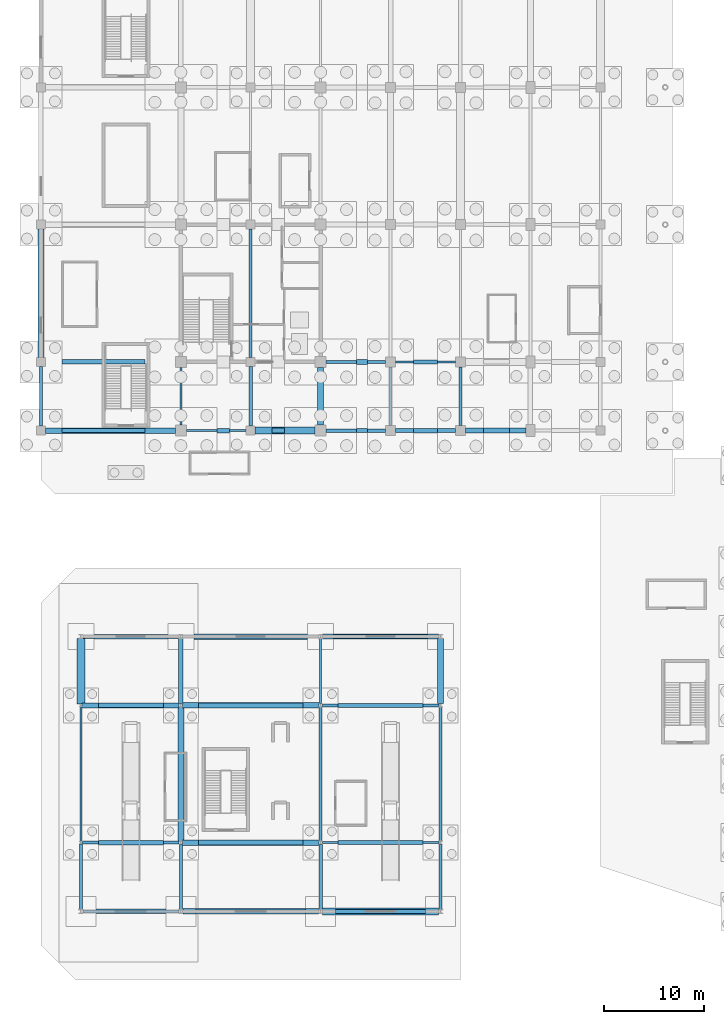
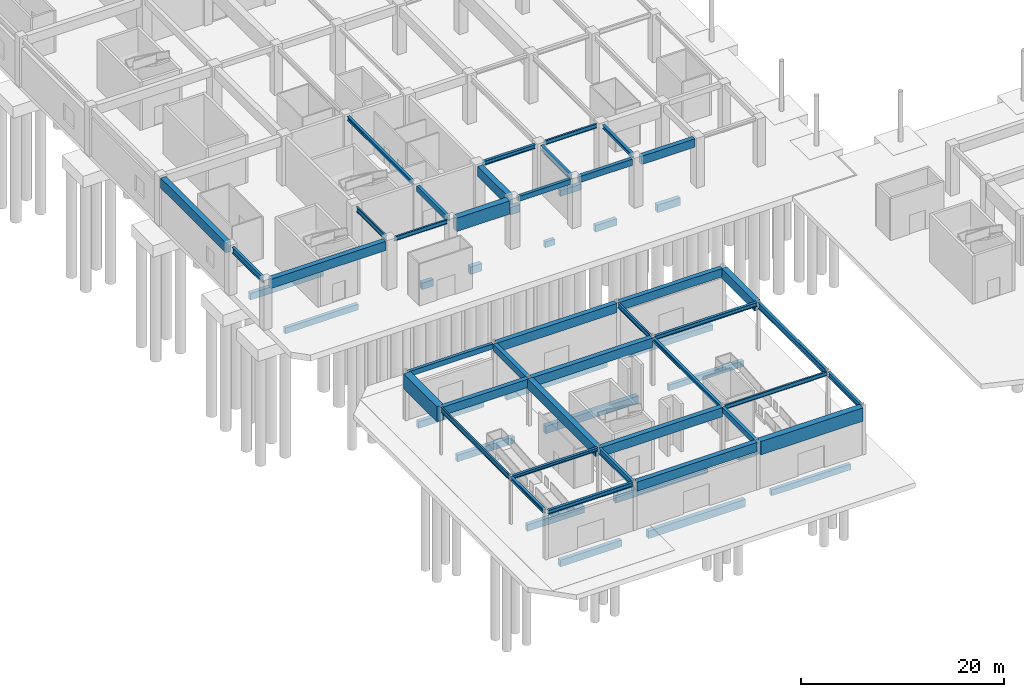
# One storey, part 29 of 62: 61 beams.
"""IFC4 building model written with IfcOpenShell, lengths in metres."""

from ifc_helpers import new_model, si_unit, direction, frame, origin, origin_2d, place, context, subcontext, project, spatial, rectangle, i_section, extrude, material, material_profile, profile_set, type_object, element, save


model = new_model("IFC4")

# Units and contexts
model_context = context("Model", 3, precision=1e-05, world=origin(), true_north=direction((0.0, 1.0)))
body_context = subcontext(model_context, "Body", "Model", "MODEL_VIEW")
ifc_project = project(units=[si_unit("LENGTHUNIT", "METRE"), si_unit("AREAUNIT", "SQUARE_METRE"), si_unit("VOLUMEUNIT", "CUBIC_METRE"), si_unit("PLANEANGLEUNIT", "RADIAN"), si_unit("MASSUNIT", "GRAM", prefix="KILO")], contexts=[model_context])

# Site, building, storey
site_placement = place(None, origin())
site = spatial("IfcSite", under=ifc_project, at=site_placement, CompositionType="ELEMENT")
building_placement = place(site_placement, origin())
building = spatial("IfcBuilding", under=site, at=building_placement, Name="Linyun Crest Stadium", CompositionType="ELEMENT")
storey_placement = place(building_placement, frame((0.0, 0.0, -6.0)))
storey = spatial("IfcBuildingStorey", under=building, at=storey_placement, Name="B1", CompositionType="ELEMENT", Elevation=-6.0)

# Beams
ifc_material_1 = material(Name="Concrete C40", Category="concrete")
ifc_material_profile_1 = material_profile(ifc_material_1, rectangle(XDim=0.35009765625, YDim=0.60009765625, at=origin_2d()), Name="RCB 600x350")
ifc_profile_set_1 = profile_set([ifc_material_profile_1], Name="Concrete C40")
beam_type_1 = type_object("IfcBeamType", Name="B01", PredefinedType="BEAM", material=ifc_profile_set_1)
beam_1_placement = place(storey_placement, frame((-69.449951171875, -46.0, 5.449951171875), z_axis=(1.0, 0.0, 0.0), x_axis=(0.0, 1.0, 0.0)))
element("IfcBeam", 1, at=beam_1_placement, inside=storey, type_object=beam_type_1, Name="Frame beam B01 B1 4", PredefinedType="BEAM", context=body_context, shape_type="SweptSolid", body=[
    extrude(rectangle(XDim=0.35009765625, YDim=0.60009765625, at=origin_2d()), origin(), (0.0, 0.0, 1.0), 5.949951171875),
])
beam_2_placement = place(storey_placement, frame((-93.800048828125, -66.625, 5.47998046875), z_axis=(1.0, 0.0, 0.0), x_axis=(0.0, 1.0, 0.0)))
element("IfcBeam", 2, at=beam_2_placement, inside=storey, type_object=beam_type_1, Name="Frame beam B01 B1 1006", PredefinedType="BEAM", context=body_context, shape_type="SweptSolid", body=[
    extrude(rectangle(XDim=0.35009765625, YDim=0.60009765625, at=origin_2d()), origin(), (0.0, 0.0, 1.0), 9.60009765625),
])
ifc_material_2 = material(Name="Concrete C40", Category="concrete")
ifc_material_profile_2 = material_profile(ifc_material_2, rectangle(XDim=0.35009765625, YDim=0.64990234375, at=origin_2d()), Name="RCB 650x350")
ifc_profile_set_2 = profile_set([ifc_material_profile_2], Name="Concrete C40")
beam_type_2 = type_object("IfcBeamType", Name="B02", PredefinedType="BEAM", material=ifc_profile_set_2)
beam_3_placement = place(storey_placement, frame((-77.0, -45.550048828125, 5.425048828125), z_axis=(0.0, 1.0, 0.0), x_axis=(-1.0, 0.0, 0.0)))
element("IfcBeam", 3, at=beam_3_placement, inside=storey, type_object=beam_type_2, Name="Frame beam B02 B1 57", PredefinedType="BEAM", context=body_context, shape_type="SweptSolid", body=[
    extrude(rectangle(XDim=0.35009765625, YDim=0.64990234375, at=origin_2d()), origin(), (0.0, 0.0, 1.0), 5.97509765625),
])
beam_4_placement = place(storey_placement, frame((-70.0, -93.925048828125, 5.455078125), z_axis=(0.0, 1.0, 0.0), x_axis=(-1.0, 0.0, 0.0)))
element("IfcBeam", 4, at=beam_4_placement, inside=storey, type_object=beam_type_2, Name="Frame beam B02 B1 1017", PredefinedType="BEAM", context=body_context, shape_type="SweptSolid", body=[
    extrude(rectangle(XDim=0.35009765625, YDim=0.64990234375, at=origin_2d()), origin(), (0.0, 0.0, 1.0), 6.5),
])
ifc_material_3 = material(Name="Concrete C40", Category="concrete")
ifc_material_profile_3 = material_profile(ifc_material_3, rectangle(XDim=0.39990234375, YDim=0.75, at=origin_2d()), Name="RCB 750x400")
ifc_profile_set_3 = profile_set([ifc_material_profile_3], Name="Concrete C40")
beam_type_3 = type_object("IfcBeamType", Name="B03", PredefinedType="BEAM", material=ifc_profile_set_3)
beam_5_placement = place(storey_placement, frame((-62.5, -46.0, 5.375), z_axis=(1.0, 0.0, 0.0), x_axis=(0.0, 1.0, 0.0)))
element("IfcBeam", 5, at=beam_5_placement, inside=storey, type_object=beam_type_3, Name="Frame beam B03 B1 5", PredefinedType="BEAM", context=body_context, shape_type="SweptSolid", body=[
    extrude(rectangle(XDim=0.39990234375, YDim=0.75, at=origin_2d()), origin(), (0.0, 0.0, 1.0), 6.0),
])
ifc_material_4 = material(Name="Concrete C40", Category="concrete")
ifc_material_profile_4 = material_profile(ifc_material_4, rectangle(XDim=0.449951171875, YDim=0.85009765625, at=origin_2d()), Name="RCB 850x450")
ifc_profile_set_4 = profile_set([ifc_material_profile_4], Name="Concrete C40")
beam_type_4 = type_object("IfcBeamType", Name="B04", PredefinedType="BEAM", material=ifc_profile_set_4)
beam_6_placement = place(storey_placement, frame((-84.0, -73.324951171875, 5.35498046875), z_axis=(0.0, 1.0, 0.0), x_axis=(-1.0, 0.0, 0.0)))
element("IfcBeam", 6, at=beam_6_placement, inside=storey, type_object=beam_type_4, Name="Frame beam B04 B1 1016", PredefinedType="BEAM", context=body_context, shape_type="SweptSolid", body=[
    extrude(rectangle(XDim=0.449951171875, YDim=0.85009765625, at=origin_2d()), origin(), (0.0, 0.0, 1.0), 6.5),
])
ifc_material_5 = material(Name="Concrete C40", Category="concrete")
ifc_material_profile_5 = material_profile(ifc_material_5, rectangle(XDim=0.5, YDim=1.0, at=origin_2d()), Name="RCB 1000x500")
ifc_profile_set_5 = profile_set([ifc_material_profile_5], Name="Concrete C40")
beam_type_5 = type_object("IfcBeamType", Name="B05", PredefinedType="BEAM", material=ifc_profile_set_5)
beam_7_placement = place(storey_placement, frame((-55.5, -46.0, 5.25), z_axis=(1.0, 0.0, 0.0), x_axis=(0.0, 1.0, 0.0)))
element("IfcBeam", 7, at=beam_7_placement, inside=storey, type_object=beam_type_5, Name="Frame beam B05 B1 6", PredefinedType="BEAM", context=body_context, shape_type="SweptSolid", body=[
    extrude(rectangle(XDim=0.5, YDim=1.0, at=origin_2d()), origin(), (0.0, 0.0, 1.0), 6.050048828125),
])
beam_8_placement = place(storey_placement, frame((-93.875, -73.5, 5.280029296875), z_axis=(1.0, 0.0, 0.0), x_axis=(0.0, 1.0, 0.0)))
element("IfcBeam", 8, at=beam_8_placement, inside=storey, type_object=beam_type_5, Name="Frame beam B05 B1 1001", PredefinedType="BEAM", context=body_context, shape_type="SweptSolid", body=[
    extrude(rectangle(XDim=0.5, YDim=1.0, at=origin_2d()), origin(), (0.0, 0.0, 1.0), 9.699951171875),
])
beam_9_placement = place(storey_placement, frame((-69.800048828125, -66.625, 5.280029296875), z_axis=(1.0, 0.0, 0.0), x_axis=(0.0, 1.0, 0.0)))
element("IfcBeam", 9, at=beam_9_placement, inside=storey, type_object=beam_type_5, Name="Frame beam B05 B1 1008", PredefinedType="BEAM", context=body_context, shape_type="SweptSolid", body=[
    extrude(rectangle(XDim=0.5, YDim=1.0, at=origin_2d()), origin(), (0.0, 0.0, 1.0), 11.60009765625),
])
ifc_material_6 = material(Name="Steel Q355C", Category="steel")
ifc_material_profile_6 = material_profile(ifc_material_6, i_section(OverallWidth=0.300048828125, OverallDepth=0.389892578125, WebThickness=0.010009765625, FlangeThickness=0.01611328125, at=origin_2d()), Name="HM 390x300")
ifc_profile_set_6 = profile_set([ifc_material_profile_6], Name="Steel Q355C")
beam_type_6 = type_object("IfcBeamType", Name="B06", PredefinedType="BEAM", material=ifc_profile_set_6)
beam_10_placement = place(storey_placement, frame((-93.875, -87.25, 5.5849609375), z_axis=(1.0, 0.0, 0.0), x_axis=(0.0, 1.0, 0.0)))
element("IfcBeam", 10, at=beam_10_placement, inside=storey, type_object=beam_type_6, Name="Frame beam B06 B1 995", PredefinedType="BEAM", context=body_context, shape_type="SweptSolid", body=[
    extrude(i_section(OverallWidth=0.300048828125, OverallDepth=0.389892578125, WebThickness=0.010009765625, FlangeThickness=0.01611328125, at=origin_2d()), origin(), (0.0, 0.0, 1.0), 9.699951171875),
])
ifc_material_7 = material(Name="Steel Q355C", Category="steel")
ifc_material_profile_7 = material_profile(ifc_material_7, i_section(OverallWidth=0.300048828125, OverallDepth=0.43994140625, WebThickness=0.010986328125, FlangeThickness=0.01806640625, at=origin_2d()), Name="HM 440x300")
ifc_profile_set_7 = profile_set([ifc_material_profile_7], Name="Steel Q355C")
beam_type_7 = type_object("IfcBeamType", Name="B07", PredefinedType="BEAM", material=ifc_profile_set_7)
beam_11_placement = place(storey_placement, frame((-77.0, -38.675048828125, 5.530029296875), z_axis=(0.0, 1.0, 0.0), x_axis=(-1.0, 0.0, 0.0)))
element("IfcBeam", 11, at=beam_11_placement, inside=storey, type_object=beam_type_7, Name="Frame beam B07 B1 58", PredefinedType="BEAM", context=body_context, shape_type="SweptSolid", body=[
    extrude(i_section(OverallWidth=0.300048828125, OverallDepth=0.43994140625, WebThickness=0.010986328125, FlangeThickness=0.01806640625, at=origin_2d()), origin(), (0.0, 0.0, 1.0), 12.85009765625),
])
beam_12_placement = place(storey_placement, frame((-56.0, -45.5, 5.530029296875), z_axis=(0.0, 1.0, 0.0), x_axis=(-1.0, 0.0, 0.0)))
element("IfcBeam", 12, at=beam_12_placement, inside=storey, type_object=beam_type_7, Name="Frame beam B07 B1 75", PredefinedType="BEAM", context=body_context, shape_type="SweptSolid", body=[
    extrude(i_section(OverallWidth=0.300048828125, OverallDepth=0.43994140625, WebThickness=0.010986328125, FlangeThickness=0.01806640625, at=origin_2d()), origin(), (0.0, 0.0, 1.0), 5.875),
])
beam_13_placement = place(storey_placement, frame((-94.0, -93.925048828125, 5.56005859375), z_axis=(0.0, 1.0, 0.0), x_axis=(-1.0, 0.0, 0.0)))
element("IfcBeam", 13, at=beam_13_placement, inside=storey, type_object=beam_type_7, Name="Frame beam B07 B1 1011", PredefinedType="BEAM", context=body_context, shape_type="SweptSolid", body=[
    extrude(i_section(OverallWidth=0.300048828125, OverallDepth=0.43994140625, WebThickness=0.010986328125, FlangeThickness=0.01806640625, at=origin_2d()), origin(), (0.0, 0.0, 1.0), 6.550048828125),
])
beam_14_placement = place(storey_placement, frame((-70.0, -87.074951171875, 5.56005859375), z_axis=(0.0, 1.0, 0.0), x_axis=(-1.0, 0.0, 0.0)))
element("IfcBeam", 14, at=beam_14_placement, inside=storey, type_object=beam_type_7, Name="Frame beam B07 B1 1018", PredefinedType="BEAM", context=body_context, shape_type="SweptSolid", body=[
    extrude(i_section(OverallWidth=0.300048828125, OverallDepth=0.43994140625, WebThickness=0.010986328125, FlangeThickness=0.01806640625, at=origin_2d()), origin(), (0.0, 0.0, 1.0), 13.39990234375),
])
ifc_material_8 = material(Name="Steel Q355C", Category="steel")
ifc_material_profile_8 = material_profile(ifc_material_8, i_section(OverallWidth=0.300048828125, OverallDepth=0.488037109375, WebThickness=0.010986328125, FlangeThickness=0.01806640625, at=origin_2d()), Name="HM 488x300")
ifc_profile_set_8 = profile_set([ifc_material_profile_8], Name="Steel Q355C")
beam_type_8 = type_object("IfcBeamType", Name="B08", PredefinedType="BEAM", material=ifc_profile_set_8)
beam_15_placement = place(storey_placement, frame((-69.449951171875, -39.125, 5.506103515625), z_axis=(1.0, 0.0, 0.0), x_axis=(0.0, 1.0, 0.0)))
element("IfcBeam", 15, at=beam_15_placement, inside=storey, type_object=beam_type_8, Name="Frame beam B08 B1 8", PredefinedType="BEAM", context=body_context, shape_type="SweptSolid", body=[
    extrude(i_section(OverallWidth=0.300048828125, OverallDepth=0.488037109375, WebThickness=0.010986328125, FlangeThickness=0.01806640625, at=origin_2d()), origin(), (0.0, 0.0, 1.0), 5.949951171875),
])
beam_16_placement = place(storey_placement, frame((-93.800048828125, -94.125, 5.535888671875), z_axis=(1.0, 0.0, 0.0), x_axis=(0.0, 1.0, 0.0)))
element("IfcBeam", 16, at=beam_16_placement, inside=storey, type_object=beam_type_8, Name="Frame beam B08 B1 989", PredefinedType="BEAM", context=body_context, shape_type="SweptSolid", body=[
    extrude(i_section(OverallWidth=0.300048828125, OverallDepth=0.488037109375, WebThickness=0.010986328125, FlangeThickness=0.01806640625, at=origin_2d()), origin(), (0.0, 0.0, 1.0), 9.60009765625),
])
beam_17_placement = place(storey_placement, frame((-69.824951171875, -73.5, 5.535888671875), z_axis=(1.0, 0.0, 0.0), x_axis=(0.0, 1.0, 0.0)))
element("IfcBeam", 17, at=beam_17_placement, inside=storey, type_object=beam_type_8, Name="Frame beam B08 B1 1003", PredefinedType="BEAM", context=body_context, shape_type="SweptSolid", body=[
    extrude(i_section(OverallWidth=0.300048828125, OverallDepth=0.488037109375, WebThickness=0.010986328125, FlangeThickness=0.01806640625, at=origin_2d()), origin(), (0.0, 0.0, 1.0), 11.64990234375),
])
ifc_material_9 = material(Name="Steel Q355C", Category="steel")
ifc_material_profile_9 = material_profile(ifc_material_9, i_section(OverallWidth=0.300048828125, OverallDepth=0.587890625, WebThickness=0.011962890625, FlangeThickness=0.02001953125, at=origin_2d()), Name="HM 588x300")
ifc_profile_set_9 = profile_set([ifc_material_profile_9], Name="Steel Q355C")
beam_type_9 = type_object("IfcBeamType", Name="B09", PredefinedType="BEAM", material=ifc_profile_set_9)
beam_18_placement = place(storey_placement, frame((-63.0, -45.5, 5.4560546875), z_axis=(0.0, 1.0, 0.0), x_axis=(-1.0, 0.0, 0.0)))
element("IfcBeam", 18, at=beam_18_placement, inside=storey, type_object=beam_type_9, Name="Frame beam B09 B1 68", PredefinedType="BEAM", context=body_context, shape_type="SweptSolid", body=[
    extrude(i_section(OverallWidth=0.300048828125, OverallDepth=0.587890625, WebThickness=0.011962890625, FlangeThickness=0.02001953125, at=origin_2d()), origin(), (0.0, 0.0, 1.0), 5.875),
])
beam_19_placement = place(storey_placement, frame((-58.0, -93.925048828125, 5.486083984375), z_axis=(0.0, 1.0, 0.0), x_axis=(-1.0, 0.0, 0.0)))
element("IfcBeam", 19, at=beam_19_placement, inside=storey, type_object=beam_type_9, Name="Frame beam B09 B1 1020", PredefinedType="BEAM", context=body_context, shape_type="SweptSolid", body=[
    extrude(i_section(OverallWidth=0.300048828125, OverallDepth=0.587890625, WebThickness=0.011962890625, FlangeThickness=0.02001953125, at=origin_2d()), origin(), (0.0, 0.0, 1.0), 6.5),
])
ifc_material_10 = material(Name="Steel Q355C", Category="steel")
ifc_material_profile_10 = material_profile(ifc_material_10, i_section(OverallWidth=0.199951171875, OverallDepth=0.5, WebThickness=0.010009765625, FlangeThickness=0.01611328125, at=origin_2d()), Name="HN 500x200")
ifc_profile_set_10 = profile_set([ifc_material_profile_10], Name="Steel Q355C")
beam_type_10 = type_object("IfcBeamType", Name="B10", PredefinedType="BEAM", material=ifc_profile_set_10)
for number, where, z_axis, x_axis, name in (
    (20, (-83.449951171875, -46.0, 5.5), (1.0, 0.0, 0.0), (0.0, 1.0, 0.0), "Frame beam B10 B1 2"),
    (21, (-62.5, -39.125, 5.5), (1.0, 0.0, 0.0), (0.0, 1.0, 0.0), "Frame beam B10 B1 9"),
):
    element("IfcBeam", number, at=place(storey_placement, frame(where, z_axis=z_axis, x_axis=x_axis)), inside=storey, type_object=beam_type_10, Name=name, PredefinedType="BEAM", context=body_context, shape_type="SweptSolid", body=[
        extrude(i_section(OverallWidth=0.199951171875, OverallDepth=0.5, WebThickness=0.010009765625, FlangeThickness=0.01611328125, at=origin_2d()), origin(), (0.0, 0.0, 1.0), 6.0),
    ])
beam_20_placement = place(storey_placement, frame((-69.824951171875, -87.25, 5.530029296875), z_axis=(1.0, 0.0, 0.0), x_axis=(0.0, 1.0, 0.0)))
element("IfcBeam", 22, at=beam_20_placement, inside=storey, type_object=beam_type_10, Name="Frame beam B10 B1 997", PredefinedType="BEAM", context=body_context, shape_type="SweptSolid", body=[
    extrude(i_section(OverallWidth=0.199951171875, OverallDepth=0.5, WebThickness=0.010009765625, FlangeThickness=0.01611328125, at=origin_2d()), origin(), (0.0, 0.0, 1.0), 11.64990234375),
])
ifc_material_11 = material(Name="Steel Q355C", Category="steel")
ifc_material_profile_11 = material_profile(ifc_material_11, i_section(OverallWidth=0.199951171875, OverallDepth=0.60009765625, WebThickness=0.010986328125, FlangeThickness=0.01708984375, at=origin_2d()), Name="HN 600x200")
ifc_profile_set_11 = profile_set([ifc_material_profile_11], Name="Steel Q355C")
beam_type_11 = type_object("IfcBeamType", Name="B11", PredefinedType="BEAM", material=ifc_profile_set_11)
beam_21_placement = place(storey_placement, frame((-84.0, -45.449951171875, 5.449951171875), z_axis=(0.0, 1.0, 0.0), x_axis=(-1.0, 0.0, 0.0)))
element("IfcBeam", 23, at=beam_21_placement, inside=storey, type_object=beam_type_11, Name="Frame beam B11 B1 53", PredefinedType="BEAM", context=body_context, shape_type="SweptSolid", body=[
    extrude(i_section(OverallWidth=0.199951171875, OverallDepth=0.60009765625, WebThickness=0.010986328125, FlangeThickness=0.01708984375, at=origin_2d()), origin(), (0.0, 0.0, 1.0), 5.77490234375),
])
beam_22_placement = place(storey_placement, frame((-94.0, -87.125, 5.47998046875), z_axis=(0.0, 1.0, 0.0), x_axis=(-1.0, 0.0, 0.0)))
element("IfcBeam", 24, at=beam_22_placement, inside=storey, type_object=beam_type_11, Name="Frame beam B11 B1 1012", PredefinedType="BEAM", context=body_context, shape_type="SweptSolid", body=[
    extrude(i_section(OverallWidth=0.199951171875, OverallDepth=0.60009765625, WebThickness=0.010986328125, FlangeThickness=0.01708984375, at=origin_2d()), origin(), (0.0, 0.0, 1.0), 13.5),
])
beam_23_placement = place(storey_placement, frame((-70.0, -73.324951171875, 5.47998046875), z_axis=(0.0, 1.0, 0.0), x_axis=(-1.0, 0.0, 0.0)))
element("IfcBeam", 25, at=beam_23_placement, inside=storey, type_object=beam_type_11, Name="Frame beam B11 B1 1019", PredefinedType="BEAM", context=body_context, shape_type="SweptSolid", body=[
    extrude(i_section(OverallWidth=0.199951171875, OverallDepth=0.60009765625, WebThickness=0.010986328125, FlangeThickness=0.01708984375, at=origin_2d()), origin(), (0.0, 0.0, 1.0), 6.5),
])
ifc_material_12 = material(Name="Steel Q355C", Category="steel")
ifc_material_profile_12 = material_profile(ifc_material_12, i_section(OverallWidth=0.300048828125, OverallDepth=0.699951171875, WebThickness=0.012939453125, FlangeThickness=0.02392578125, at=origin_2d()), Name="HN 700x300")
ifc_profile_set_12 = profile_set([ifc_material_profile_12], Name="Steel Q355C")
beam_type_12 = type_object("IfcBeamType", Name="B12", PredefinedType="BEAM", material=ifc_profile_set_12)
beam_24_placement = place(storey_placement, frame((-98.0, -45.550048828125, 5.39990234375), z_axis=(0.0, 1.0, 0.0), x_axis=(-1.0, 0.0, 0.0)))
element("IfcBeam", 26, at=beam_24_placement, inside=storey, type_object=beam_type_12, Name="Frame beam B12 B1 46", PredefinedType="BEAM", context=body_context, shape_type="SweptSolid", body=[
    extrude(i_section(OverallWidth=0.300048828125, OverallDepth=0.699951171875, WebThickness=0.012939453125, FlangeThickness=0.02392578125, at=origin_2d()), origin(), (0.0, 0.0, 1.0), 5.97509765625),
])
beam_25_placement = place(storey_placement, frame((-84.0, -93.925048828125, 5.429931640625), z_axis=(0.0, 1.0, 0.0), x_axis=(-1.0, 0.0, 0.0)))
element("IfcBeam", 27, at=beam_25_placement, inside=storey, type_object=beam_type_12, Name="Frame beam B12 B1 1014", PredefinedType="BEAM", context=body_context, shape_type="SweptSolid", body=[
    extrude(i_section(OverallWidth=0.300048828125, OverallDepth=0.699951171875, WebThickness=0.012939453125, FlangeThickness=0.02392578125, at=origin_2d()), origin(), (0.0, 0.0, 1.0), 6.5),
])
beam_26_placement = place(storey_placement, frame((-58.0, -87.074951171875, 5.429931640625), z_axis=(0.0, 1.0, 0.0), x_axis=(-1.0, 0.0, 0.0)))
element("IfcBeam", 28, at=beam_26_placement, inside=storey, type_object=beam_type_12, Name="Frame beam B12 B1 1021", PredefinedType="BEAM", context=body_context, shape_type="SweptSolid", body=[
    extrude(i_section(OverallWidth=0.300048828125, OverallDepth=0.699951171875, WebThickness=0.012939453125, FlangeThickness=0.02392578125, at=origin_2d()), origin(), (0.0, 0.0, 1.0), 13.39990234375),
])
ifc_material_13 = material(Name="Concrete C50", Category="concrete")
ifc_material_profile_13 = material_profile(ifc_material_13, rectangle(XDim=0.699951171875, YDim=1.60009765625, at=origin_2d()), Name="RCB 1600x700")
ifc_profile_set_13 = profile_set([ifc_material_profile_13], Name="Concrete C50")
beam_type_13 = type_object("IfcBeamType", Name="B13", PredefinedType="BEAM", material=ifc_profile_set_13)
beam_27_placement = place(storey_placement, frame((-76.550048828125, -46.0, 4.949951171875), z_axis=(1.0, 0.0, 0.0), x_axis=(0.0, 1.0, 0.0)))
element("IfcBeam", 29, at=beam_27_placement, inside=storey, type_object=beam_type_13, Name="Frame beam B13 B1 3", PredefinedType="BEAM", context=body_context, shape_type="SweptSolid", body=[
    extrude(rectangle(XDim=0.699951171875, YDim=1.60009765625, at=origin_2d()), origin(), (0.0, 0.0, 1.0), 6.0),
])
beam_28_placement = place(storey_placement, frame((-69.800048828125, -94.125, 4.97998046875), z_axis=(1.0, 0.0, 0.0), x_axis=(0.0, 1.0, 0.0)))
element("IfcBeam", 30, at=beam_28_placement, inside=storey, type_object=beam_type_13, Name="Frame beam B13 B1 991", PredefinedType="BEAM", context=body_context, shape_type="SweptSolid", body=[
    extrude(rectangle(XDim=0.699951171875, YDim=1.60009765625, at=origin_2d()), origin(), (0.0, 0.0, 1.0), 11.60009765625),
])
ifc_material_14 = material(Name="Concrete C50", Category="concrete")
ifc_material_profile_14 = material_profile(ifc_material_14, rectangle(XDim=0.800048828125, YDim=1.800048828125, at=origin_2d()), Name="RCB 1800x800")
ifc_profile_set_14 = profile_set([ifc_material_profile_14], Name="Concrete C50")
beam_type_14 = type_object("IfcBeamType", Name="B14", PredefinedType="BEAM", material=ifc_profile_set_14)
beam_29_placement = place(storey_placement, frame((-94.0, -73.375, 4.8798828125), z_axis=(0.0, 1.0, 0.0), x_axis=(-1.0, 0.0, 0.0)))
element("IfcBeam", 31, at=beam_29_placement, inside=storey, type_object=beam_type_14, Name="Frame beam B14 B1 1013", PredefinedType="BEAM", context=body_context, shape_type="SweptSolid", body=[
    extrude(rectangle(XDim=0.800048828125, YDim=1.800048828125, at=origin_2d()), origin(), (0.0, 0.0, 1.0), 6.550048828125),
])
ifc_material_15 = material(Name="Concrete C40", Category="concrete")
ifc_material_profile_15 = material_profile(ifc_material_15, rectangle(XDim=0.39990234375, YDim=0.699951171875, at=origin_2d()), Name="RCB 700x400")
ifc_profile_set_15 = profile_set([ifc_material_profile_15], Name="Concrete C40")
beam_type_15 = type_object("IfcBeamType", Name="GB01", PredefinedType="BEAM", material=ifc_profile_set_15)
beam_30_placement = place(storey_placement, frame((-95.89599609375, -46.0, -1.10009765625), z_axis=(1.0, 0.0, 0.0), x_axis=(0.0, 1.0, 0.0)))
element("IfcBeam", 32, at=beam_30_placement, inside=storey, type_object=beam_type_15, Name="Ground beam GB01 1", PredefinedType="BEAM", context=body_context, shape_type="SweptSolid", body=[
    extrude(rectangle(XDim=0.39990234375, YDim=0.699951171875, at=origin_2d()), origin(), (0.0, 0.0, 1.0), 8.2919921875),
])
beam_31_placement = place(storey_placement, frame((-66.39599609375, -46.0, -1.10009765625), z_axis=(1.0, 0.0, 0.0), x_axis=(0.0, 1.0, 0.0)))
element("IfcBeam", 33, at=beam_31_placement, inside=storey, type_object=beam_type_15, Name="Ground beam GB01 4", PredefinedType="BEAM", context=body_context, shape_type="SweptSolid", body=[
    extrude(rectangle(XDim=0.39990234375, YDim=0.699951171875, at=origin_2d()), origin(), (0.0, 0.0, 1.0), 1.092041015625),
])
beam_32_placement = place(storey_placement, frame((-60.696044921875, -39.125, -1.10009765625), z_axis=(1.0, 0.0, 0.0), x_axis=(0.0, 1.0, 0.0)))
element("IfcBeam", 34, at=beam_32_placement, inside=storey, type_object=beam_type_15, Name="Ground beam GB01 10", PredefinedType="BEAM", context=body_context, shape_type="SweptSolid", body=[
    extrude(rectangle(XDim=0.39990234375, YDim=0.699951171875, at=origin_2d()), origin(), (0.0, 0.0, 1.0), 2.39208984375),
])
beam_33_placement = place(storey_placement, frame((-68.49609375, -94.125, -0.949951171875), z_axis=(1.0, 0.0, 0.0), x_axis=(0.0, 1.0, 0.0)))
element("IfcBeam", 35, at=beam_33_placement, inside=storey, type_object=beam_type_15, Name="Ground beam GB01 139", PredefinedType="BEAM", context=body_context, shape_type="SweptSolid", body=[
    extrude(rectangle(XDim=0.39990234375, YDim=0.699951171875, at=origin_2d()), origin(), (0.0, 0.0, 1.0), 8.9921875),
])
for number, where, z_axis, x_axis, name in (
    (36, (-68.24609375, -87.25, -0.949951171875), (1.0, 0.0, 0.0), (0.0, 1.0, 0.0), "Ground beam GB01 145"),
    (37, (-68.24609375, -73.5, -0.949951171875), (1.0, 0.0, 0.0), (0.0, 1.0, 0.0), "Ground beam GB01 151"),
):
    element("IfcBeam", number, at=place(storey_placement, frame(where, z_axis=z_axis, x_axis=x_axis)), inside=storey, type_object=beam_type_15, Name=name, PredefinedType="BEAM", context=body_context, shape_type="SweptSolid", body=[
        extrude(rectangle(XDim=0.39990234375, YDim=0.699951171875, at=origin_2d()), origin(), (0.0, 0.0, 1.0), 8.4921875),
    ])
beam_34_placement = place(storey_placement, frame((-68.696044921875, -66.625, -0.949951171875), z_axis=(1.0, 0.0, 0.0), x_axis=(0.0, 1.0, 0.0)))
element("IfcBeam", 38, at=beam_34_placement, inside=storey, type_object=beam_type_15, Name="Ground beam GB01 157", PredefinedType="BEAM", context=body_context, shape_type="SweptSolid", body=[
    extrude(rectangle(XDim=0.39990234375, YDim=0.699951171875, at=origin_2d()), origin(), (0.0, 0.0, 1.0), 9.39208984375),
])
ifc_material_16 = material(Name="Concrete C40", Category="concrete")
ifc_material_profile_16 = material_profile(ifc_material_16, rectangle(XDim=0.449951171875, YDim=0.800048828125, at=origin_2d()), Name="RCB 800x450")
ifc_profile_set_16 = profile_set([ifc_material_profile_16], Name="Concrete C40")
beam_type_16 = type_object("IfcBeamType", Name="GB02", PredefinedType="BEAM", material=ifc_profile_set_16)
beam_35_placement = place(storey_placement, frame((-80.39599609375, -46.0, -1.14990234375), z_axis=(1.0, 0.0, 0.0), x_axis=(0.0, 1.0, 0.0)))
element("IfcBeam", 39, at=beam_35_placement, inside=storey, type_object=beam_type_16, Name="Ground beam GB02 2", PredefinedType="BEAM", context=body_context, shape_type="SweptSolid", body=[
    extrude(rectangle(XDim=0.449951171875, YDim=0.800048828125, at=origin_2d()), origin(), (0.0, 0.0, 1.0), 1.2919921875),
])
beam_36_placement = place(storey_placement, frame((-60.696044921875, -46.0, -1.14990234375), z_axis=(1.0, 0.0, 0.0), x_axis=(0.0, 1.0, 0.0)))
element("IfcBeam", 40, at=beam_36_placement, inside=storey, type_object=beam_type_16, Name="Ground beam GB02 5", PredefinedType="BEAM", context=body_context, shape_type="SweptSolid", body=[
    extrude(rectangle(XDim=0.449951171875, YDim=0.800048828125, at=origin_2d()), origin(), (0.0, 0.0, 1.0), 2.39208984375),
])
beam_37_placement = place(storey_placement, frame((-95.89599609375, -39.125, -1.14990234375), z_axis=(1.0, 0.0, 0.0), x_axis=(0.0, 1.0, 0.0)))
element("IfcBeam", 41, at=beam_37_placement, inside=storey, type_object=beam_type_16, Name="Ground beam GB02 8", PredefinedType="BEAM", context=body_context, shape_type="SweptSolid", body=[
    extrude(rectangle(XDim=0.449951171875, YDim=0.800048828125, at=origin_2d()), origin(), (0.0, 0.0, 1.0), 8.2919921875),
])
beam_38_placement = place(storey_placement, frame((-92.49609375, -94.125, -1.0), z_axis=(1.0, 0.0, 0.0), x_axis=(0.0, 1.0, 0.0)))
element("IfcBeam", 42, at=beam_38_placement, inside=storey, type_object=beam_type_16, Name="Ground beam GB02 137", PredefinedType="BEAM", context=body_context, shape_type="SweptSolid", body=[
    extrude(rectangle(XDim=0.449951171875, YDim=0.800048828125, at=origin_2d()), origin(), (0.0, 0.0, 1.0), 6.9921875),
])
for number, where, z_axis, x_axis, name in (
    (43, (-92.24609375, -87.25, -1.0), (1.0, 0.0, 0.0), (0.0, 1.0, 0.0), "Ground beam GB02 143"),
    (44, (-92.24609375, -73.5, -1.0), (1.0, 0.0, 0.0), (0.0, 1.0, 0.0), "Ground beam GB02 149"),
):
    element("IfcBeam", number, at=place(storey_placement, frame(where, z_axis=z_axis, x_axis=x_axis)), inside=storey, type_object=beam_type_16, Name=name, PredefinedType="BEAM", context=body_context, shape_type="SweptSolid", body=[
        extrude(rectangle(XDim=0.449951171875, YDim=0.800048828125, at=origin_2d()), origin(), (0.0, 0.0, 1.0), 6.4921875),
    ])
beam_39_placement = place(storey_placement, frame((-92.696044921875, -66.625, -1.0), z_axis=(1.0, 0.0, 0.0), x_axis=(0.0, 1.0, 0.0)))
element("IfcBeam", 45, at=beam_39_placement, inside=storey, type_object=beam_type_16, Name="Ground beam GB02 155", PredefinedType="BEAM", context=body_context, shape_type="SweptSolid", body=[
    extrude(rectangle(XDim=0.449951171875, YDim=0.800048828125, at=origin_2d()), origin(), (0.0, 0.0, 1.0), 7.39208984375),
])
ifc_material_17 = material(Name="Concrete C40", Category="concrete")
ifc_material_profile_17 = material_profile(ifc_material_17, rectangle(XDim=0.5, YDim=0.89990234375, at=origin_2d()), Name="RCB 900x500")
ifc_profile_set_17 = profile_set([ifc_material_profile_17], Name="Concrete C40")
beam_type_17 = type_object("IfcBeamType", Name="GB03", PredefinedType="BEAM", material=ifc_profile_set_17)
beam_40_placement = place(storey_placement, frame((-74.89599609375, -46.0, -1.199951171875), z_axis=(1.0, 0.0, 0.0), x_axis=(0.0, 1.0, 0.0)))
element("IfcBeam", 46, at=beam_40_placement, inside=storey, type_object=beam_type_17, Name="Ground beam GB03 3", PredefinedType="BEAM", context=body_context, shape_type="SweptSolid", body=[
    extrude(rectangle(XDim=0.5, YDim=0.89990234375, at=origin_2d()), origin(), (0.0, 0.0, 1.0), 1.2919921875),
])
beam_41_placement = place(storey_placement, frame((-53.696044921875, -46.0, -1.199951171875), z_axis=(1.0, 0.0, 0.0), x_axis=(0.0, 1.0, 0.0)))
element("IfcBeam", 47, at=beam_41_placement, inside=storey, type_object=beam_type_17, Name="Ground beam GB03 6", PredefinedType="BEAM", context=body_context, shape_type="SweptSolid", body=[
    extrude(rectangle(XDim=0.5, YDim=0.89990234375, at=origin_2d()), origin(), (0.0, 0.0, 1.0), 2.592041015625),
])
beam_42_placement = place(storey_placement, frame((-66.39599609375, -39.125, -1.199951171875), z_axis=(1.0, 0.0, 0.0), x_axis=(0.0, 1.0, 0.0)))
element("IfcBeam", 48, at=beam_42_placement, inside=storey, type_object=beam_type_17, Name="Ground beam GB03 9", PredefinedType="BEAM", context=body_context, shape_type="SweptSolid", body=[
    extrude(rectangle(XDim=0.5, YDim=0.89990234375, at=origin_2d()), origin(), (0.0, 0.0, 1.0), 1.092041015625),
])
beam_43_placement = place(storey_placement, frame((-82.49609375, -94.125, -1.050048828125), z_axis=(1.0, 0.0, 0.0), x_axis=(0.0, 1.0, 0.0)))
element("IfcBeam", 49, at=beam_43_placement, inside=storey, type_object=beam_type_17, Name="Ground beam GB03 138", PredefinedType="BEAM", context=body_context, shape_type="SweptSolid", body=[
    extrude(rectangle(XDim=0.5, YDim=0.89990234375, at=origin_2d()), origin(), (0.0, 0.0, 1.0), 10.9921875),
])
for number, where, z_axis, x_axis, name in (
    (50, (-82.24609375, -87.25, -1.050048828125), (1.0, 0.0, 0.0), (0.0, 1.0, 0.0), "Ground beam GB03 144"),
    (51, (-82.24609375, -73.5, -1.050048828125), (1.0, 0.0, 0.0), (0.0, 1.0, 0.0), "Ground beam GB03 150"),
):
    element("IfcBeam", number, at=place(storey_placement, frame(where, z_axis=z_axis, x_axis=x_axis)), inside=storey, type_object=beam_type_17, Name=name, PredefinedType="BEAM", context=body_context, shape_type="SweptSolid", body=[
        extrude(rectangle(XDim=0.5, YDim=0.89990234375, at=origin_2d()), origin(), (0.0, 0.0, 1.0), 10.4921875),
    ])
beam_44_placement = place(storey_placement, frame((-82.696044921875, -66.625, -1.050048828125), z_axis=(1.0, 0.0, 0.0), x_axis=(0.0, 1.0, 0.0)))
element("IfcBeam", 52, at=beam_44_placement, inside=storey, type_object=beam_type_17, Name="Ground beam GB03 156", PredefinedType="BEAM", context=body_context, shape_type="SweptSolid", body=[
    extrude(rectangle(XDim=0.5, YDim=0.89990234375, at=origin_2d()), origin(), (0.0, 0.0, 1.0), 11.39208984375),
])
ifc_material_18 = material(Name="Concrete C50", Category="concrete")
ifc_material_profile_18 = material_profile(ifc_material_18, rectangle(XDim=0.550048828125, YDim=1.10009765625, at=origin_2d()), Name="RCB 1100x550")
ifc_profile_set_18 = profile_set([ifc_material_profile_18], Name="Concrete C50")
beam_type_18 = type_object("IfcBeamType", Name="TB01", PredefinedType="USERDEFINED", material=ifc_profile_set_18)
beam_45_placement = place(storey_placement, frame((-97.550048828125, -46.0, 5.199951171875), z_axis=(1.0, 0.0, 0.0), x_axis=(0.0, 1.0, 0.0)))
element("IfcBeam", 53, at=beam_45_placement, inside=storey, type_object=beam_type_18, Name="Frame beam TB01 B1 1", ObjectType="GIRDER", PredefinedType="USERDEFINED", context=body_context, shape_type="SweptSolid", body=[
    extrude(rectangle(XDim=0.550048828125, YDim=1.10009765625, at=origin_2d()), origin(), (0.0, 0.0, 1.0), 13.0),
])
beam_46_placement = place(storey_placement, frame((-83.800048828125, -94.125, 5.22998046875), z_axis=(1.0, 0.0, 0.0), x_axis=(0.0, 1.0, 0.0)))
element("IfcBeam", 54, at=beam_46_placement, inside=storey, type_object=beam_type_18, Name="Frame beam TB01 B1 990", ObjectType="GIRDER", PredefinedType="USERDEFINED", context=body_context, shape_type="SweptSolid", body=[
    extrude(rectangle(XDim=0.550048828125, YDim=1.10009765625, at=origin_2d()), origin(), (0.0, 0.0, 1.0), 13.60009765625),
])
for number, where, z_axis, x_axis, name in (
    (55, (-83.824951171875, -87.25, 5.22998046875), (1.0, 0.0, 0.0), (0.0, 1.0, 0.0), "Frame beam TB01 B1 996"),
    (56, (-83.824951171875, -73.5, 5.22998046875), (1.0, 0.0, 0.0), (0.0, 1.0, 0.0), "Frame beam TB01 B1 1002"),
):
    element("IfcBeam", number, at=place(storey_placement, frame(where, z_axis=z_axis, x_axis=x_axis)), inside=storey, type_object=beam_type_18, Name=name, ObjectType="GIRDER", PredefinedType="USERDEFINED", context=body_context, shape_type="SweptSolid", body=[
        extrude(rectangle(XDim=0.550048828125, YDim=1.10009765625, at=origin_2d()), origin(), (0.0, 0.0, 1.0), 13.64990234375),
    ])
beam_47_placement = place(storey_placement, frame((-83.800048828125, -66.625, 5.22998046875), z_axis=(1.0, 0.0, 0.0), x_axis=(0.0, 1.0, 0.0)))
element("IfcBeam", 57, at=beam_47_placement, inside=storey, type_object=beam_type_18, Name="Frame beam TB01 B1 1007", ObjectType="GIRDER", PredefinedType="USERDEFINED", context=body_context, shape_type="SweptSolid", body=[
    extrude(rectangle(XDim=0.550048828125, YDim=1.10009765625, at=origin_2d()), origin(), (0.0, 0.0, 1.0), 13.60009765625),
])
ifc_material_19 = material(Name="Concrete C50", Category="concrete")
ifc_material_profile_19 = material_profile(ifc_material_19, rectangle(XDim=0.60009765625, YDim=1.199951171875, at=origin_2d()), Name="RCB 1200x600")
ifc_profile_set_19 = profile_set([ifc_material_profile_19], Name="Concrete C50")
beam_type_19 = type_object("IfcBeamType", Name="TB02", PredefinedType="USERDEFINED", material=ifc_profile_set_19)
beam_48_placement = place(storey_placement, frame((-98.0, -38.675048828125, 5.14990234375), z_axis=(0.0, 1.0, 0.0), x_axis=(-1.0, 0.0, 0.0)))
element("IfcBeam", 58, at=beam_48_placement, inside=storey, type_object=beam_type_19, Name="Frame beam TB02 B1 47", ObjectType="GIRDER", PredefinedType="USERDEFINED", context=body_context, shape_type="SweptSolid", body=[
    extrude(rectangle(XDim=0.60009765625, YDim=1.199951171875, at=origin_2d()), origin(), (0.0, 0.0, 1.0), 12.85009765625),
])
beam_49_placement = place(storey_placement, frame((-70.0, -45.449951171875, 5.14990234375), z_axis=(0.0, 1.0, 0.0), x_axis=(-1.0, 0.0, 0.0)))
element("IfcBeam", 59, at=beam_49_placement, inside=storey, type_object=beam_type_19, Name="Frame beam TB02 B1 64", ObjectType="GIRDER", PredefinedType="USERDEFINED", context=body_context, shape_type="SweptSolid", body=[
    extrude(rectangle(XDim=0.60009765625, YDim=1.199951171875, at=origin_2d()), origin(), (0.0, 0.0, 1.0), 5.77490234375),
])
beam_50_placement = place(storey_placement, frame((-84.0, -87.074951171875, 5.179931640625), z_axis=(0.0, 1.0, 0.0), x_axis=(-1.0, 0.0, 0.0)))
element("IfcBeam", 60, at=beam_50_placement, inside=storey, type_object=beam_type_19, Name="Frame beam TB02 B1 1015", ObjectType="GIRDER", PredefinedType="USERDEFINED", context=body_context, shape_type="SweptSolid", body=[
    extrude(rectangle(XDim=0.60009765625, YDim=1.199951171875, at=origin_2d()), origin(), (0.0, 0.0, 1.0), 13.39990234375),
])
beam_51_placement = place(storey_placement, frame((-58.0, -73.324951171875, 5.179931640625), z_axis=(0.0, 1.0, 0.0), x_axis=(-1.0, 0.0, 0.0)))
element("IfcBeam", 61, at=beam_51_placement, inside=storey, type_object=beam_type_19, Name="Frame beam TB02 B1 1022", ObjectType="GIRDER", PredefinedType="USERDEFINED", context=body_context, shape_type="SweptSolid", body=[
    extrude(rectangle(XDim=0.60009765625, YDim=1.199951171875, at=origin_2d()), origin(), (0.0, 0.0, 1.0), 6.5),
])

save(model, "model.ifc")
